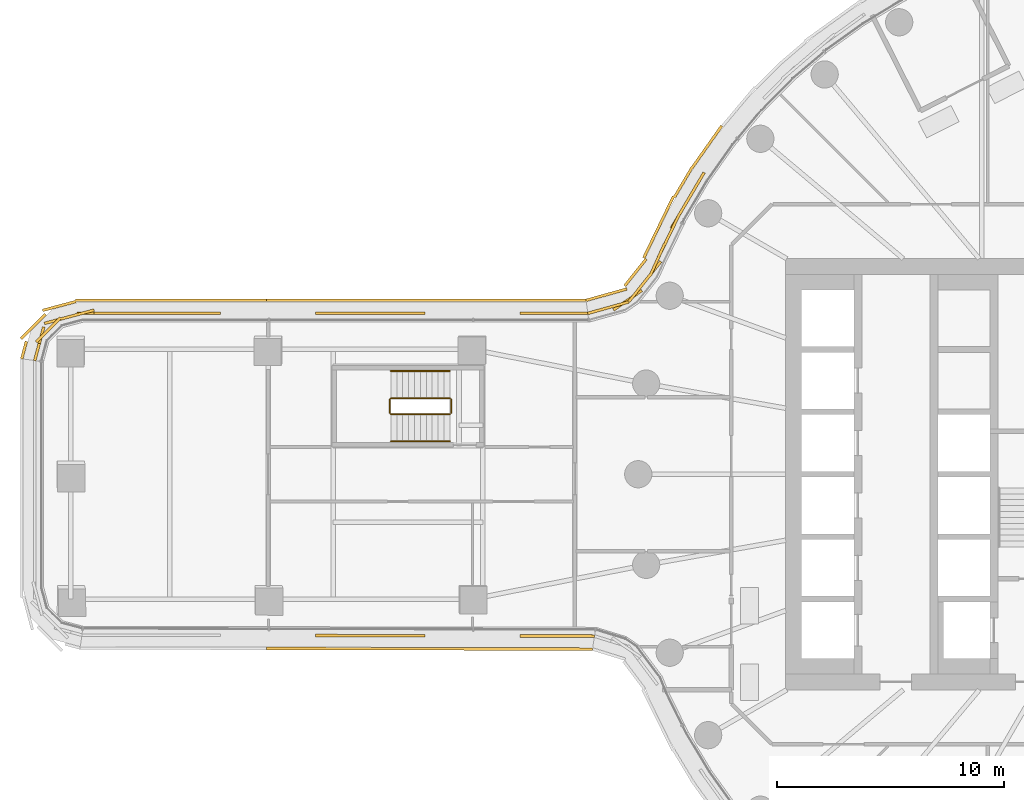
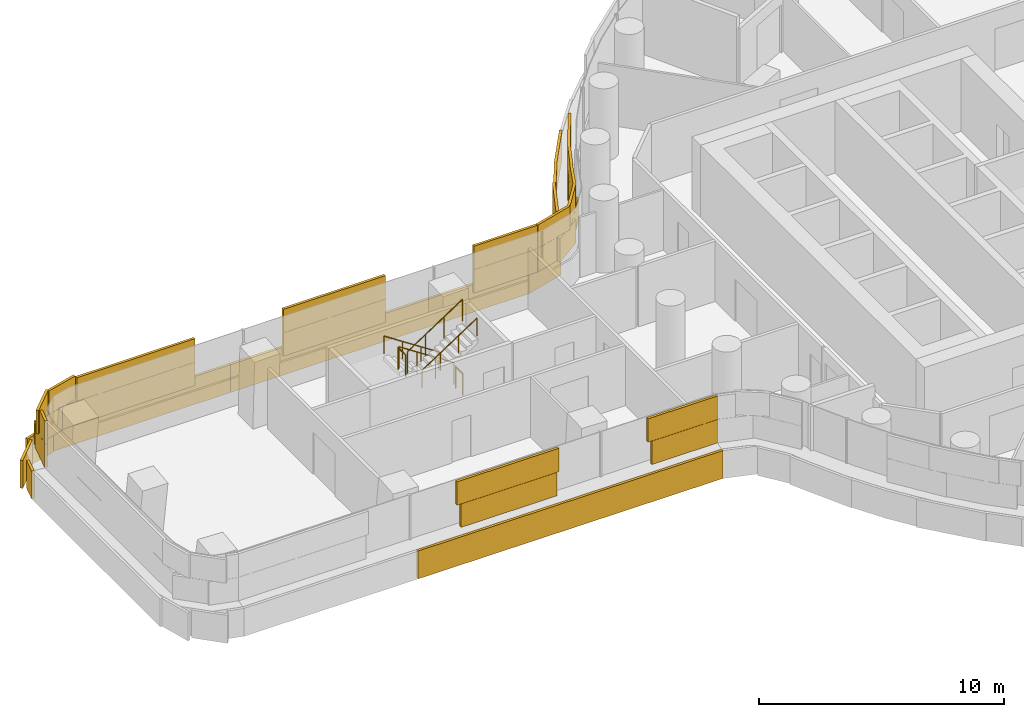
# One storey, part 27 of 32: 6 railings, 4 coverings.
"""IFC4 building model written with IfcOpenShell, lengths in metres."""

from ifc_helpers import new_model, si_unit, direction, frame, origin, origin_2d, place, context, subcontext, project, spatial, rectangle, circle, extrude, material, layer, layer_set, type_object, element, save


model = new_model("IFC4")

# Units and contexts
model_context = context("Model", 3, precision=1e-05, world=origin(), true_north=direction((0.0, 1.0)))
body_context = subcontext(model_context, "Body", "Model", "MODEL_VIEW")
ifc_project = project(units=[si_unit("LENGTHUNIT", "METRE"), si_unit("AREAUNIT", "SQUARE_METRE"), si_unit("VOLUMEUNIT", "CUBIC_METRE"), si_unit("PLANEANGLEUNIT", "RADIAN"), si_unit("MASSUNIT", "GRAM", prefix="KILO")], contexts=[model_context])

# Site, building, storey
site_placement = place(None, origin())
site = spatial("IfcSite", under=ifc_project, at=site_placement, CompositionType="ELEMENT")
building_placement = place(site_placement, origin())
building = spatial("IfcBuilding", under=site, at=building_placement, Name="Tamarind Cross Interchange Tower", CompositionType="ELEMENT")
storey_placement = place(building_placement, frame((0.0, 0.0, 34.0)))
storey = spatial("IfcBuildingStorey", under=building, at=storey_placement, Name="L06", CompositionType="ELEMENT", Elevation=34.0)

# Railings
ifc_material_1 = material(Name="Stair guard")
railing_type_1 = type_object("IfcRailingType", Name="Stair guard", PredefinedType="GUARDRAIL", material=ifc_material_1)
railing_1_placement = place(storey_placement, frame((-31.300048828125, 3.35009765625, 0.17041015625)))
element("IfcRailing", 1, at=railing_1_placement, inside=storey, type_object=railing_type_1, Name="L06 ST5 stair guard 1", PredefinedType="GUARDRAIL", context=body_context, shape_type="SweptSolid", body=[
    extrude(circle(Radius=0.02392578125, at=origin_2d()), frame((0.0, 0.0, 1.076171875), z_axis=(-0.836278606002, 0.0, 0.548304744775), x_axis=(0.0, -1.0, 0.0)), (0.0, 0.0, 1.0), 3.10888671875),
    extrude(circle(Radius=0.02099609375, at=origin_2d()), origin(), (0.0, 0.0, 1.0), 1.052001953125),
    extrude(circle(Radius=0.02099609375, at=origin_2d()), frame((-0.86669921875, 0.0, 0.568115234375)), (0.0, 0.0, 1.0), 1.052001953125),
    extrude(circle(Radius=0.02099609375, at=origin_2d()), frame((-1.733154296875, 0.0, 1.136474609375)), (0.0, 0.0, 1.0), 1.052001953125),
    extrude(circle(Radius=0.02099609375, at=origin_2d()), frame((-2.599853515625, 0.0, 1.70458984375)), (0.0, 0.0, 1.0), 1.052001953125),
])
railing_2_placement = place(storey_placement, frame((-33.949951171875, 3.300048828125, 1.875)))
element("IfcRailing", 2, at=railing_2_placement, inside=storey, type_object=railing_type_1, Name="L06 ST5 stair guard 2", PredefinedType="GUARDRAIL", context=body_context, shape_type="SweptSolid", body=[
    extrude(circle(Radius=0.02392578125, at=origin_2d()), frame((0.0, 0.0, 1.076171875), z_axis=(0.0, -1.0, 0.0), x_axis=(1.0, 0.0, 0.0)), (0.0, 0.0, 1.0), 0.60009765625),
    extrude(circle(Radius=0.02099609375, at=origin_2d()), origin(), (0.0, 0.0, 1.0), 1.052001953125),
    extrude(circle(Radius=0.02099609375, at=origin_2d()), frame((0.0, -0.60009765625, 0.0)), (0.0, 0.0, 1.0), 1.052001953125),
])
railing_3_placement = place(storey_placement, frame((-33.89990234375, 2.64990234375, 2.04541015625)))
element("IfcRailing", 3, at=railing_3_placement, inside=storey, type_object=railing_type_1, Name="L06 ST5 stair guard 3", PredefinedType="GUARDRAIL", context=body_context, shape_type="SweptSolid", body=[
    extrude(circle(Radius=0.02392578125, at=origin_2d()), frame((0.0, 0.0, 1.076171875), z_axis=(0.836278606002, 0.0, 0.548304744775), x_axis=(0.0, 1.0, 0.0)), (0.0, 0.0, 1.0), 3.10888671875),
    extrude(circle(Radius=0.02099609375, at=origin_2d()), origin(), (0.0, 0.0, 1.0), 1.052001953125),
    extrude(circle(Radius=0.02099609375, at=origin_2d()), frame((0.86669921875, 0.0, 0.568115234375)), (0.0, 0.0, 1.0), 1.052001953125),
    extrude(circle(Radius=0.02099609375, at=origin_2d()), frame((1.733154296875, 0.0, 1.136474609375)), (0.0, 0.0, 1.0), 1.052001953125),
    extrude(circle(Radius=0.02099609375, at=origin_2d()), frame((2.599853515625, 0.0, 1.70458984375)), (0.0, 0.0, 1.0), 1.052001953125),
])
railing_4_placement = place(storey_placement, frame((-31.25, 3.300048828125, 0.0)))
element("IfcRailing", 4, at=railing_4_placement, inside=storey, type_object=railing_type_1, Name="L06 ST5 stair guard 4", PredefinedType="GUARDRAIL", context=body_context, shape_type="SweptSolid", body=[
    extrude(circle(Radius=0.02392578125, at=origin_2d()), frame((0.0, 0.0, 1.076171875), z_axis=(0.0, -1.0, 0.0), x_axis=(1.0, 0.0, 0.0)), (0.0, 0.0, 1.0), 0.60009765625),
    extrude(circle(Radius=0.02099609375, at=origin_2d()), origin(), (0.0, 0.0, 1.0), 1.052001953125),
    extrude(circle(Radius=0.02099609375, at=origin_2d()), frame((0.0, -0.60009765625, 0.0)), (0.0, 0.0, 1.0), 1.052001953125),
])
ifc_material_2 = material(Name="Stair handrail")
railing_type_2 = type_object("IfcRailingType", Name="Stair handrail", PredefinedType="HANDRAIL", material=ifc_material_2)
railing_5_placement = place(storey_placement, frame((-31.300048828125, 4.550048828125, 0.17041015625)))
element("IfcRailing", 5, at=railing_5_placement, inside=storey, type_object=railing_type_2, Name="L06 ST5 stair handrail 1", PredefinedType="HANDRAIL", context=body_context, shape_type="SweptSolid", body=[
    extrude(circle(Radius=0.02392578125, at=origin_2d()), frame((0.0, 0.0, 0.8759765625), z_axis=(-0.836278606002, 0.0, 0.548304744775), x_axis=(0.0, -1.0, 0.0)), (0.0, 0.0, 1.0), 3.10888671875),
    extrude(circle(Radius=0.02099609375, at=origin_2d()), origin(), (0.0, 0.0, 1.0), 0.851806640625),
    extrude(circle(Radius=0.02099609375, at=origin_2d()), frame((-0.86669921875, 0.0, 0.568115234375)), (0.0, 0.0, 1.0), 0.851806640625),
    extrude(circle(Radius=0.02099609375, at=origin_2d()), frame((-1.733154296875, 0.0, 1.136474609375)), (0.0, 0.0, 1.0), 0.851806640625),
    extrude(circle(Radius=0.02099609375, at=origin_2d()), frame((-2.599853515625, 0.0, 1.70458984375)), (0.0, 0.0, 1.0), 0.851806640625),
])
railing_6_placement = place(storey_placement, frame((-33.89990234375, 1.449951171875, 2.04541015625)))
element("IfcRailing", 6, at=railing_6_placement, inside=storey, type_object=railing_type_2, Name="L06 ST5 stair handrail 2", PredefinedType="HANDRAIL", context=body_context, shape_type="SweptSolid", body=[
    extrude(circle(Radius=0.02392578125, at=origin_2d()), frame((0.0, 0.0, 0.8759765625), z_axis=(0.836278606002, 0.0, 0.548304744775), x_axis=(0.0, 1.0, 0.0)), (0.0, 0.0, 1.0), 3.10888671875),
    extrude(circle(Radius=0.02099609375, at=origin_2d()), origin(), (0.0, 0.0, 1.0), 0.851806640625),
    extrude(circle(Radius=0.02099609375, at=origin_2d()), frame((0.86669921875, 0.0, 0.568115234375)), (0.0, 0.0, 1.0), 0.851806640625),
    extrude(circle(Radius=0.02099609375, at=origin_2d()), frame((1.733154296875, 0.0, 1.136474609375)), (0.0, 0.0, 1.0), 0.851806640625),
    extrude(circle(Radius=0.02099609375, at=origin_2d()), frame((2.599853515625, 0.0, 1.70458984375)), (0.0, 0.0, 1.0), 0.851806640625),
])

# Coverings
ifc_material_3 = material(Name="Terracotta", Category="masonry")
ifc_layer = layer(ifc_material_3, 0.1201171875)
ifc_layer_set = layer_set([ifc_layer], Name="Terracotta")
covering_type = type_object("IfcCoveringType", Name="Terracotta baguette screen unit", PredefinedType="MOLDING", material=ifc_layer_set)
covering_1_placement = place(storey_placement, origin())
element("IfcCovering", 7, at=covering_1_placement, inside=storey, type_object=covering_type, Name="SCR-L06-00-00", PredefinedType="MOLDING", context=body_context, shape_type="SweptSolid", body=[
    extrude(rectangle(XDim=1.510009765625, YDim=0.1201171875, at=origin_2d()), frame((-25.97119140625, 7.090087890625, 1.404052734375), z_axis=(0.0, 0.0, 1.0), x_axis=(-1.0, 0.0, 0.0)), (0.0, 0.0, 1.0), 1.1669921875),
    extrude(rectangle(XDim=1.5009765625, YDim=0.1201171875, at=origin_2d()), frame((-27.466552734375, 7.090087890625, 1.404052734375), z_axis=(0.0, 0.0, 1.0), x_axis=(-1.0, 0.0, 0.0)), (0.0, 0.0, 1.0), 1.1669921875),
    extrude(rectangle(XDim=0.31884765625, YDim=0.1201171875, at=origin_2d()), frame((-32.566650390625, 7.090087890625, 1.404052734375), z_axis=(0.0, 0.0, 1.0), x_axis=(-1.0, 0.0, 0.0)), (0.0, 0.0, 1.0), 1.1669921875),
    extrude(rectangle(XDim=1.52001953125, YDim=0.1201171875, at=origin_2d()), frame((-33.47119140625, 7.090087890625, 1.404052734375), z_axis=(0.0, 0.0, 1.0), x_axis=(-1.0, 0.0, 0.0)), (0.0, 0.0, 1.0), 1.1669921875),
    extrude(rectangle(XDim=1.52001953125, YDim=0.1201171875, at=origin_2d()), frame((-34.97119140625, 7.090087890625, 1.404052734375), z_axis=(0.0, 0.0, 1.0), x_axis=(-1.0, 0.0, 0.0)), (0.0, 0.0, 1.0), 1.1669921875),
    extrude(rectangle(XDim=1.5009765625, YDim=0.1201171875, at=origin_2d()), frame((-36.466552734375, 7.090087890625, 1.404052734375), z_axis=(0.0, 0.0, 1.0), x_axis=(-1.0, 0.0, 0.0)), (0.0, 0.0, 1.0), 1.1669921875),
    extrude(rectangle(XDim=0.760009765625, YDim=0.1201171875, at=origin_2d()), frame((-25.59619140625, 7.090087890625, 2.5791015625), z_axis=(0.0, 0.0, 1.0), x_axis=(-1.0, 0.0, 0.0)), (0.0, 0.0, 1.0), 1.1669921875),
    extrude(rectangle(XDim=1.52001953125, YDim=0.1201171875, at=origin_2d()), frame((-26.72119140625, 7.090087890625, 2.5791015625), z_axis=(0.0, 0.0, 1.0), x_axis=(-1.0, 0.0, 0.0)), (0.0, 0.0, 1.0), 1.1669921875),
    extrude(rectangle(XDim=0.7509765625, YDim=0.1201171875, at=origin_2d()), frame((-27.841552734375, 7.090087890625, 2.5791015625), z_axis=(0.0, 0.0, 1.0), x_axis=(-1.0, 0.0, 0.0)), (0.0, 0.0, 1.0), 1.1669921875),
    extrude(rectangle(XDim=1.06884765625, YDim=0.1201171875, at=origin_2d()), frame((-32.941650390625, 7.090087890625, 2.5791015625), z_axis=(0.0, 0.0, 1.0), x_axis=(-1.0, 0.0, 0.0)), (0.0, 0.0, 1.0), 1.1669921875),
    extrude(rectangle(XDim=1.52001953125, YDim=0.1201171875, at=origin_2d()), frame((-34.22119140625, 7.090087890625, 2.5791015625), z_axis=(0.0, 0.0, 1.0), x_axis=(-1.0, 0.0, 0.0)), (0.0, 0.0, 1.0), 1.1669921875),
    extrude(rectangle(XDim=1.52001953125, YDim=0.1201171875, at=origin_2d()), frame((-35.72119140625, 7.090087890625, 2.5791015625), z_axis=(0.0, 0.0, 1.0), x_axis=(-1.0, 0.0, 0.0)), (0.0, 0.0, 1.0), 1.1669921875),
    extrude(rectangle(XDim=0.7509765625, YDim=0.1201171875, at=origin_2d()), frame((-36.841552734375, 7.090087890625, 2.5791015625), z_axis=(0.0, 0.0, 1.0), x_axis=(-1.0, 0.0, 0.0)), (0.0, 0.0, 1.0), 1.1669921875),
    extrude(rectangle(XDim=1.510009765625, YDim=0.1201171875, at=origin_2d()), frame((-26.0546875, 7.6640625, 0.00390625), z_axis=(0.0, 0.0, 1.0), x_axis=(-1.0, 0.0, 0.0)), (0.0, 0.0, 1.0), 1.39208984375),
    extrude(rectangle(XDim=1.52001953125, YDim=0.1201171875, at=origin_2d()), frame((-27.5498046875, 7.6640625, 0.00390625), z_axis=(0.0, 0.0, 1.0), x_axis=(-1.0, 0.0, 0.0)), (0.0, 0.0, 1.0), 1.39208984375),
    extrude(rectangle(XDim=1.52001953125, YDim=0.1201171875, at=origin_2d()), frame((-29.0498046875, 7.6640625, 0.00390625), z_axis=(0.0, 0.0, 1.0), x_axis=(-1.0, 0.0, 0.0)), (0.0, 0.0, 1.0), 1.39208984375),
    extrude(rectangle(XDim=1.52001953125, YDim=0.1201171875, at=origin_2d()), frame((-30.5498046875, 7.6640625, 0.00390625), z_axis=(0.0, 0.0, 1.0), x_axis=(-1.0, 0.0, 0.0)), (0.0, 0.0, 1.0), 1.39208984375),
    extrude(rectangle(XDim=1.52001953125, YDim=0.1201171875, at=origin_2d()), frame((-32.0498046875, 7.6640625, 0.00390625), z_axis=(0.0, 0.0, 1.0), x_axis=(-1.0, 0.0, 0.0)), (0.0, 0.0, 1.0), 1.39208984375),
    extrude(rectangle(XDim=1.52001953125, YDim=0.1201171875, at=origin_2d()), frame((-33.5498046875, 7.6640625, 0.00390625), z_axis=(0.0, 0.0, 1.0), x_axis=(-1.0, 0.0, 0.0)), (0.0, 0.0, 1.0), 1.39208984375),
    extrude(rectangle(XDim=1.52001953125, YDim=0.1201171875, at=origin_2d()), frame((-35.0498046875, 7.6640625, 0.00390625), z_axis=(0.0, 0.0, 1.0), x_axis=(-1.0, 0.0, 0.0)), (0.0, 0.0, 1.0), 1.39208984375),
    extrude(rectangle(XDim=1.52001953125, YDim=0.1201171875, at=origin_2d()), frame((-36.5498046875, 7.6640625, 0.00390625), z_axis=(0.0, 0.0, 1.0), x_axis=(-1.0, 0.0, 0.0)), (0.0, 0.0, 1.0), 1.39208984375),
    extrude(rectangle(XDim=1.52001953125, YDim=0.1201171875, at=origin_2d()), frame((-38.0498046875, 7.6640625, 0.00390625), z_axis=(0.0, 0.0, 1.0), x_axis=(-1.0, 0.0, 0.0)), (0.0, 0.0, 1.0), 1.39208984375),
    extrude(rectangle(XDim=0.598876953125, YDim=0.1201171875, at=origin_2d()), frame((-39.089111328125, 7.6640625, 0.00390625), z_axis=(0.0, 0.0, 1.0), x_axis=(-1.0, 0.0, 0.0)), (0.0, 0.0, 1.0), 1.39208984375),
])
covering_2_placement = place(storey_placement, origin())
element("IfcCovering", 8, at=covering_2_placement, inside=storey, type_object=covering_type, Name="SCR-L06-00-01", PredefinedType="MOLDING", context=body_context, shape_type="SweptSolid", body=[
    extrude(rectangle(XDim=0.319091796875, YDim=0.1201171875, at=origin_2d()), frame((-41.566650390625, 7.090087890625, 1.404052734375), z_axis=(0.0, 0.0, 1.0), x_axis=(-1.0, 0.0, 0.0)), (0.0, 0.0, 1.0), 1.1669921875),
    extrude(rectangle(XDim=1.52001953125, YDim=0.1201171875, at=origin_2d()), frame((-42.47119140625, 7.090087890625, 1.404052734375), z_axis=(0.0, 0.0, 1.0), x_axis=(-1.0, 0.0, 0.0)), (0.0, 0.0, 1.0), 1.1669921875),
    extrude(rectangle(XDim=1.52001953125, YDim=0.1201171875, at=origin_2d()), frame((-43.97119140625, 7.090087890625, 1.404052734375), z_axis=(0.0, 0.0, 1.0), x_axis=(-1.0, 0.0, 0.0)), (0.0, 0.0, 1.0), 1.1669921875),
    extrude(rectangle(XDim=1.52001953125, YDim=0.1201171875, at=origin_2d()), frame((-45.47119140625, 7.090087890625, 1.404052734375), z_axis=(0.0, 0.0, 1.0), x_axis=(-1.0, 0.0, 0.0)), (0.0, 0.0, 1.0), 1.1669921875),
    extrude(rectangle(XDim=1.52001953125, YDim=0.1201171875, at=origin_2d()), frame((-46.97119140625, 7.090087890625, 1.404052734375), z_axis=(0.0, 0.0, 1.0), x_axis=(-1.0, 0.0, 0.0)), (0.0, 0.0, 1.0), 1.1669921875),
    extrude(rectangle(XDim=1.52001953125, YDim=0.1201171875, at=origin_2d()), frame((-48.438720703125, 6.84375, 1.404052734375), z_axis=(0.0, 0.0, 1.0), x_axis=(-0.965925826289, -0.258819045103, 0.0)), (0.0, 0.0, 1.0), 1.1669921875),
    extrude(rectangle(XDim=1.52001953125, YDim=0.1201171875, at=origin_2d()), frame((-49.397216796875, 5.759765625, 1.404052734375), z_axis=(0.0, 0.0, 1.0), x_axis=(-0.258819045103, -0.965925826289, 0.0)), (0.0, 0.0, 1.0), 1.1669921875),
    extrude(rectangle(XDim=0.034423828125, YDim=0.1201171875, at=origin_2d()), frame((-49.594482421875, 5.023681640625, 1.404052734375), z_axis=(0.0, 0.0, 1.0), x_axis=(-0.258819045103, -0.965925826289, 0.0)), (0.0, 0.0, 1.0), 1.1669921875),
    extrude(rectangle(XDim=1.069091796875, YDim=0.1201171875, at=origin_2d()), frame((-41.941650390625, 7.090087890625, 2.5791015625), z_axis=(0.0, 0.0, 1.0), x_axis=(-1.0, 0.0, 0.0)), (0.0, 0.0, 1.0), 1.1669921875),
    extrude(rectangle(XDim=1.52001953125, YDim=0.1201171875, at=origin_2d()), frame((-43.22119140625, 7.090087890625, 2.5791015625), z_axis=(0.0, 0.0, 1.0), x_axis=(-1.0, 0.0, 0.0)), (0.0, 0.0, 1.0), 1.1669921875),
    extrude(rectangle(XDim=1.52001953125, YDim=0.1201171875, at=origin_2d()), frame((-44.72119140625, 7.090087890625, 2.5791015625), z_axis=(0.0, 0.0, 1.0), x_axis=(-1.0, 0.0, 0.0)), (0.0, 0.0, 1.0), 1.1669921875),
    extrude(rectangle(XDim=1.52001953125, YDim=0.1201171875, at=origin_2d()), frame((-46.22119140625, 7.090087890625, 2.5791015625), z_axis=(0.0, 0.0, 1.0), x_axis=(-1.0, 0.0, 0.0)), (0.0, 0.0, 1.0), 1.1669921875),
    extrude(rectangle(XDim=1.52001953125, YDim=0.1201171875, at=origin_2d()), frame((-47.71435546875, 7.037841796875, 2.5791015625), z_axis=(0.0, 0.0, 1.0), x_axis=(-0.965925826289, -0.258819045103, 0.0)), (0.0, 0.0, 1.0), 1.1669921875),
    extrude(rectangle(XDim=1.52001953125, YDim=0.1201171875, at=origin_2d()), frame((-49.0, 6.366943359375, 2.5791015625), z_axis=(0.0, 0.0, 1.0), x_axis=(-0.707106781187, -0.707106781187, 0.0)), (0.0, 0.0, 1.0), 1.1669921875),
    extrude(rectangle(XDim=0.784423828125, YDim=0.1201171875, at=origin_2d()), frame((-49.497314453125, 5.3857421875, 2.5791015625), z_axis=(0.0, 0.0, 1.0), x_axis=(-0.258819045103, -0.965925826289, 0.0)), (0.0, 0.0, 1.0), 1.1669921875),
    extrude(rectangle(XDim=0.921142578125, YDim=0.1201171875, at=origin_2d()), frame((-39.84912109375, 7.6640625, 0.00390625), z_axis=(0.0, 0.0, 1.0), x_axis=(-1.0, 0.0, 0.0)), (0.0, 0.0, 1.0), 1.39208984375),
    extrude(rectangle(XDim=1.52001953125, YDim=0.1201171875, at=origin_2d()), frame((-41.0498046875, 7.6640625, 0.00390625), z_axis=(0.0, 0.0, 1.0), x_axis=(-1.0, 0.0, 0.0)), (0.0, 0.0, 1.0), 1.39208984375),
    extrude(rectangle(XDim=1.52001953125, YDim=0.1201171875, at=origin_2d()), frame((-42.5498046875, 7.6640625, 0.00390625), z_axis=(0.0, 0.0, 1.0), x_axis=(-1.0, 0.0, 0.0)), (0.0, 0.0, 1.0), 1.39208984375),
    extrude(rectangle(XDim=1.52001953125, YDim=0.1201171875, at=origin_2d()), frame((-44.0498046875, 7.6640625, 0.00390625), z_axis=(0.0, 0.0, 1.0), x_axis=(-1.0, 0.0, 0.0)), (0.0, 0.0, 1.0), 1.39208984375),
    extrude(rectangle(XDim=1.52001953125, YDim=0.1201171875, at=origin_2d()), frame((-45.5498046875, 7.6640625, 0.00390625), z_axis=(0.0, 0.0, 1.0), x_axis=(-1.0, 0.0, 0.0)), (0.0, 0.0, 1.0), 1.39208984375),
    extrude(rectangle(XDim=1.52001953125, YDim=0.1201171875, at=origin_2d()), frame((-47.0498046875, 7.6640625, 0.00390625), z_axis=(0.0, 0.0, 1.0), x_axis=(-1.0, 0.0, 0.0)), (0.0, 0.0, 1.0), 1.39208984375),
    extrude(rectangle(XDim=1.52001953125, YDim=0.1201171875, at=origin_2d()), frame((-48.51708984375, 7.4169921875, 0.00390625), z_axis=(0.0, 0.0, 1.0), x_axis=(-0.965925826289, -0.258819045103, 0.0)), (0.0, 0.0, 1.0), 1.39208984375),
    extrude(rectangle(XDim=1.52001953125, YDim=0.1201171875, at=origin_2d()), frame((-49.66748046875, 6.51123046875, 0.00390625), z_axis=(0.0, 0.0, 1.0), x_axis=(-0.707106781187, -0.707106781187, 0.0)), (0.0, 0.0, 1.0), 1.39208984375),
    extrude(rectangle(XDim=0.797607421875, YDim=0.1201171875, at=origin_2d()), frame((-50.068359375, 5.47265625, 0.00390625), z_axis=(0.0, 0.0, 1.0), x_axis=(-0.258819045103, -0.965925826289, 0.0)), (0.0, 0.0, 1.0), 1.39208984375),
])
covering_3_placement = place(storey_placement, origin())
element("IfcCovering", 9, at=covering_3_placement, inside=storey, type_object=covering_type, Name="SCR-L06-02-01", PredefinedType="MOLDING", context=body_context, shape_type="SweptSolid", body=[
    extrude(rectangle(XDim=1.52001953125, YDim=0.1201171875, at=origin_2d()), frame((-36.26953125, -7.112060546875, 1.404052734375), z_axis=(0.0, 0.0, 1.0), x_axis=(0.999998075717, -0.00196177549, 0.0)), (0.0, 0.0, 1.0), 1.1669921875),
    extrude(rectangle(XDim=1.52001953125, YDim=0.1201171875, at=origin_2d()), frame((-34.76953125, -7.114990234375, 1.404052734375), z_axis=(0.0, 0.0, 1.0), x_axis=(0.999998075717, -0.00196177549, 0.0)), (0.0, 0.0, 1.0), 1.1669921875),
    extrude(rectangle(XDim=1.52001953125, YDim=0.1201171875, at=origin_2d()), frame((-33.26953125, -7.117919921875, 1.404052734375), z_axis=(0.0, 0.0, 1.0), x_axis=(0.999998075717, -0.00196177549, 0.0)), (0.0, 0.0, 1.0), 1.1669921875),
    extrude(rectangle(XDim=1.52001953125, YDim=0.1201171875, at=origin_2d()), frame((-27.26953125, -7.129638671875, 1.404052734375), z_axis=(0.0, 0.0, 1.0), x_axis=(0.999998075717, -0.00196177549, 0.0)), (0.0, 0.0, 1.0), 1.1669921875),
    extrude(rectangle(XDim=1.52001953125, YDim=0.1201171875, at=origin_2d()), frame((-25.76953125, -7.132568359375, 1.404052734375), z_axis=(0.0, 0.0, 1.0), x_axis=(0.999998075717, -0.00196177549, 0.0)), (0.0, 0.0, 1.0), 1.1669921875),
    extrude(rectangle(XDim=0.1005859375, YDim=0.1201171875, at=origin_2d()), frame((-24.97412109375, -7.13427734375, 1.404052734375), z_axis=(0.0, 0.0, 1.0), x_axis=(0.999998075717, -0.00196177549, 0.0)), (0.0, 0.0, 1.0), 1.1669921875),
    extrude(rectangle(XDim=0.953125, YDim=0.1201171875, at=origin_2d()), frame((-36.740966796875, -7.111083984375, 2.5791015625), z_axis=(0.0, 0.0, 1.0), x_axis=(0.999998075717, -0.00196177549, 0.0)), (0.0, 0.0, 1.0), 1.1669921875),
    extrude(rectangle(XDim=1.52001953125, YDim=0.1201171875, at=origin_2d()), frame((-35.51953125, -7.113525390625, 2.5791015625), z_axis=(0.0, 0.0, 1.0), x_axis=(0.999998075717, -0.00196177549, 0.0)), (0.0, 0.0, 1.0), 1.1669921875),
    extrude(rectangle(XDim=1.52001953125, YDim=0.1201171875, at=origin_2d()), frame((-34.01953125, -7.116455078125, 2.5791015625), z_axis=(0.0, 0.0, 1.0), x_axis=(0.999998075717, -0.00196177549, 0.0)), (0.0, 0.0, 1.0), 1.1669921875),
    extrude(rectangle(XDim=0.8662109375, YDim=0.1201171875, at=origin_2d()), frame((-32.841552734375, -7.11865234375, 2.5791015625), z_axis=(0.0, 0.0, 1.0), x_axis=(0.999998075717, -0.00196177549, 0.0)), (0.0, 0.0, 1.0), 1.1669921875),
    extrude(rectangle(XDim=0.953857421875, YDim=0.1201171875, at=origin_2d()), frame((-27.741455078125, -7.128662109375, 2.5791015625), z_axis=(0.0, 0.0, 1.0), x_axis=(0.999998075717, -0.00196177549, 0.0)), (0.0, 0.0, 1.0), 1.1669921875),
    extrude(rectangle(XDim=1.52001953125, YDim=0.1201171875, at=origin_2d()), frame((-26.51953125, -7.131103515625, 2.5791015625), z_axis=(0.0, 0.0, 1.0), x_axis=(0.999998075717, -0.00196177549, 0.0)), (0.0, 0.0, 1.0), 1.1669921875),
    extrude(rectangle(XDim=0.8505859375, YDim=0.1201171875, at=origin_2d()), frame((-25.34912109375, -7.133544921875, 2.5791015625), z_axis=(0.0, 0.0, 1.0), x_axis=(0.999998075717, -0.00196177549, 0.0)), (0.0, 0.0, 1.0), 1.1669921875),
    extrude(rectangle(XDim=0.80712890625, YDim=0.1201171875, at=origin_2d()), frame((-38.9892578125, -7.6806640625, 0.00390625), z_axis=(0.0, 0.0, 1.0), x_axis=(0.999998075717, -0.00196177549, 0.0)), (0.0, 0.0, 1.0), 1.39208984375),
    extrude(rectangle(XDim=1.52001953125, YDim=0.1201171875, at=origin_2d()), frame((-37.845703125, -7.682861328125, 0.00390625), z_axis=(0.0, 0.0, 1.0), x_axis=(0.999998075717, -0.00196177549, 0.0)), (0.0, 0.0, 1.0), 1.39208984375),
    extrude(rectangle(XDim=1.52001953125, YDim=0.1201171875, at=origin_2d()), frame((-36.345703125, -7.685791015625, 0.00390625), z_axis=(0.0, 0.0, 1.0), x_axis=(0.999998075717, -0.00196177549, 0.0)), (0.0, 0.0, 1.0), 1.39208984375),
    extrude(rectangle(XDim=1.52001953125, YDim=0.1201171875, at=origin_2d()), frame((-34.845703125, -7.688720703125, 0.00390625), z_axis=(0.0, 0.0, 1.0), x_axis=(0.999998075717, -0.00196177549, 0.0)), (0.0, 0.0, 1.0), 1.39208984375),
    extrude(rectangle(XDim=1.52001953125, YDim=0.1201171875, at=origin_2d()), frame((-33.345703125, -7.69189453125, 0.00390625), z_axis=(0.0, 0.0, 1.0), x_axis=(0.999998075717, -0.00196177549, 0.0)), (0.0, 0.0, 1.0), 1.39208984375),
    extrude(rectangle(XDim=1.52001953125, YDim=0.1201171875, at=origin_2d()), frame((-31.845703125, -7.69482421875, 0.00390625), z_axis=(0.0, 0.0, 1.0), x_axis=(0.999998075717, -0.00196177549, 0.0)), (0.0, 0.0, 1.0), 1.39208984375),
    extrude(rectangle(XDim=1.52001953125, YDim=0.1201171875, at=origin_2d()), frame((-30.345703125, -7.69775390625, 0.00390625), z_axis=(0.0, 0.0, 1.0), x_axis=(0.999998075717, -0.00196177549, 0.0)), (0.0, 0.0, 1.0), 1.39208984375),
    extrude(rectangle(XDim=1.52001953125, YDim=0.1201171875, at=origin_2d()), frame((-28.845703125, -7.70068359375, 0.00390625), z_axis=(0.0, 0.0, 1.0), x_axis=(0.999998075717, -0.00196177549, 0.0)), (0.0, 0.0, 1.0), 1.39208984375),
    extrude(rectangle(XDim=1.52001953125, YDim=0.1201171875, at=origin_2d()), frame((-27.345703125, -7.70361328125, 0.00390625), z_axis=(0.0, 0.0, 1.0), x_axis=(0.999998075717, -0.00196177549, 0.0)), (0.0, 0.0, 1.0), 1.39208984375),
    extrude(rectangle(XDim=1.52001953125, YDim=0.1201171875, at=origin_2d()), frame((-25.845703125, -7.70654296875, 0.00390625), z_axis=(0.0, 0.0, 1.0), x_axis=(0.999998075717, -0.00196177549, 0.0)), (0.0, 0.0, 1.0), 1.39208984375),
    extrude(rectangle(XDim=0.089599609375, YDim=0.1201171875, at=origin_2d()), frame((-25.060791015625, -7.7080078125, 0.00390625), z_axis=(0.0, 0.0, 1.0), x_axis=(0.999998075717, -0.00196177549, 0.0)), (0.0, 0.0, 1.0), 1.39208984375),
])
covering_4_placement = place(storey_placement, origin())
element("IfcCovering", 10, at=covering_4_placement, inside=storey, type_object=covering_type, Name="SCR-L06-15-02", PredefinedType="MOLDING", context=body_context, shape_type="SweptSolid", body=[
    extrude(rectangle(XDim=1.36376953125, YDim=0.1201171875, at=origin_2d()), frame((-20.443359375, 12.708984375, 1.404052734375), z_axis=(0.0, 0.0, 1.0), x_axis=(-0.508183308752, -0.861248933065, 0.0)), (0.0, 0.0, 1.0), 1.1669921875),
    extrude(rectangle(XDim=1.52001953125, YDim=0.1201171875, at=origin_2d()), frame((-21.168701171875, 11.480224609375, 1.404052734375), z_axis=(0.0, 0.0, 1.0), x_axis=(-0.508183308752, -0.861248933065, 0.0)), (0.0, 0.0, 1.0), 1.1669921875),
    extrude(rectangle(XDim=1.52001953125, YDim=0.1201171875, at=origin_2d()), frame((-21.830810546875, 10.134521484375, 1.404052734375), z_axis=(0.0, 0.0, 1.0), x_axis=(-0.435326231914, -0.900272776334, 0.0)), (0.0, 0.0, 1.0), 1.1669921875),
    extrude(rectangle(XDim=1.52001953125, YDim=0.1201171875, at=origin_2d()), frame((-22.478515625, 8.783935546875, 1.404052734375), z_axis=(0.0, 0.0, 1.0), x_axis=(-0.622334895364, -0.782751095823, 0.0)), (0.0, 0.0, 1.0), 1.1669921875),
    extrude(rectangle(XDim=1.52001953125, YDim=0.1201171875, at=origin_2d()), frame((-23.46826171875, 7.670166015625, 1.404052734375), z_axis=(0.0, 0.0, 1.0), x_axis=(-0.825683949998, -0.564132976093, 0.0)), (0.0, 0.0, 1.0), 1.1669921875),
    extrude(rectangle(XDim=1.11865234375, YDim=0.1201171875, at=origin_2d()), frame((-24.687255859375, 7.239013671875, 1.404052734375), z_axis=(0.0, 0.0, 1.0), x_axis=(-0.963176925923, -0.268868386706, 0.0)), (0.0, 0.0, 1.0), 1.1669921875),
    extrude(rectangle(XDim=0.61376953125, YDim=0.1201171875, at=origin_2d()), frame((-20.2529296875, 13.031982421875, 2.5791015625), z_axis=(0.0, 0.0, 1.0), x_axis=(-0.508183308752, -0.861248933065, 0.0)), (0.0, 0.0, 1.0), 1.1669921875),
    extrude(rectangle(XDim=1.52001953125, YDim=0.1201171875, at=origin_2d()), frame((-20.787353515625, 12.126220703125, 2.5791015625), z_axis=(0.0, 0.0, 1.0), x_axis=(-0.508183308752, -0.861248933065, 0.0)), (0.0, 0.0, 1.0), 1.1669921875),
    extrude(rectangle(XDim=1.52001953125, YDim=0.1201171875, at=origin_2d()), frame((-21.504150390625, 10.809814453125, 2.5791015625), z_axis=(0.0, 0.0, 1.0), x_axis=(-0.435326231914, -0.900272776334, 0.0)), (0.0, 0.0, 1.0), 1.1669921875),
    extrude(rectangle(XDim=1.52001953125, YDim=0.1201171875, at=origin_2d()), frame((-22.154052734375, 9.4580078125, 2.5791015625), z_axis=(0.0, 0.0, 1.0), x_axis=(-0.412960788184, -0.910748805886, 0.0)), (0.0, 0.0, 1.0), 1.1669921875),
    extrude(rectangle(XDim=1.52001953125, YDim=0.1201171875, at=origin_2d()), frame((-22.9453125, 8.197021484375, 2.5791015625), z_axis=(0.0, 0.0, 1.0), x_axis=(-0.622334895364, -0.782751095823, 0.0)), (0.0, 0.0, 1.0), 1.1669921875),
    extrude(rectangle(XDim=1.52001953125, YDim=0.1201171875, at=origin_2d()), frame((-24.1533203125, 7.38818359375, 2.5791015625), z_axis=(0.0, 0.0, 1.0), x_axis=(-0.963176925923, -0.268868386706, 0.0)), (0.0, 0.0, 1.0), 1.1669921875),
    extrude(rectangle(XDim=0.36865234375, YDim=0.1201171875, at=origin_2d()), frame((-25.04833984375, 7.13818359375, 2.5791015625), z_axis=(0.0, 0.0, 1.0), x_axis=(-0.963176925923, -0.268868386706, 0.0)), (0.0, 0.0, 1.0), 1.1669921875),
    extrude(rectangle(XDim=0.775634765625, YDim=0.1201171875, at=origin_2d()), frame((-19.544189453125, 15.03662109375, 0.00390625), z_axis=(0.0, 0.0, 1.0), x_axis=(-0.577568978284, -0.816341886298, 0.0)), (0.0, 0.0, 1.0), 1.39208984375),
    extrude(rectangle(XDim=1.52001953125, YDim=0.1201171875, at=origin_2d()), frame((-20.195556640625, 14.115966796875, 0.00390625), z_axis=(0.0, 0.0, 1.0), x_axis=(-0.577568978284, -0.816341886298, 0.0)), (0.0, 0.0, 1.0), 1.39208984375),
    extrude(rectangle(XDim=1.52001953125, YDim=0.1201171875, at=origin_2d()), frame((-21.018798828125, 12.863525390625, 0.00390625), z_axis=(0.0, 0.0, 1.0), x_axis=(-0.508183308752, -0.861248933065, 0.0)), (0.0, 0.0, 1.0), 1.39208984375),
    extrude(rectangle(XDim=1.52001953125, YDim=0.1201171875, at=origin_2d()), frame((-21.77490234375, 11.568359375, 0.00390625), z_axis=(0.0, 0.0, 1.0), x_axis=(-0.435326231914, -0.900272776334, 0.0)), (0.0, 0.0, 1.0), 1.39208984375),
    extrude(rectangle(XDim=1.52001953125, YDim=0.1201171875, at=origin_2d()), frame((-22.427978515625, 10.218017578125, 0.00390625), z_axis=(0.0, 0.0, 1.0), x_axis=(-0.435326231914, -0.900272776334, 0.0)), (0.0, 0.0, 1.0), 1.39208984375),
    extrude(rectangle(XDim=1.52001953125, YDim=0.1201171875, at=origin_2d()), frame((-23.12255859375, 8.896484375, 0.00390625), z_axis=(0.0, 0.0, 1.0), x_axis=(-0.622334895364, -0.782751095823, 0.0)), (0.0, 0.0, 1.0), 1.39208984375),
    extrude(rectangle(XDim=1.52001953125, YDim=0.1201171875, at=origin_2d()), frame((-24.23583984375, 7.9609375, 0.00390625), z_axis=(0.0, 0.0, 1.0), x_axis=(-0.963176925923, -0.268868386706, 0.0)), (0.0, 0.0, 1.0), 1.39208984375),
    extrude(rectangle(XDim=0.36474609375, YDim=0.1201171875, at=origin_2d()), frame((-25.1240234375, 7.713134765625, 0.00390625), z_axis=(0.0, 0.0, 1.0), x_axis=(-0.963176925923, -0.268868386706, 0.0)), (0.0, 0.0, 1.0), 1.39208984375),
])

save(model, "model.ifc")
